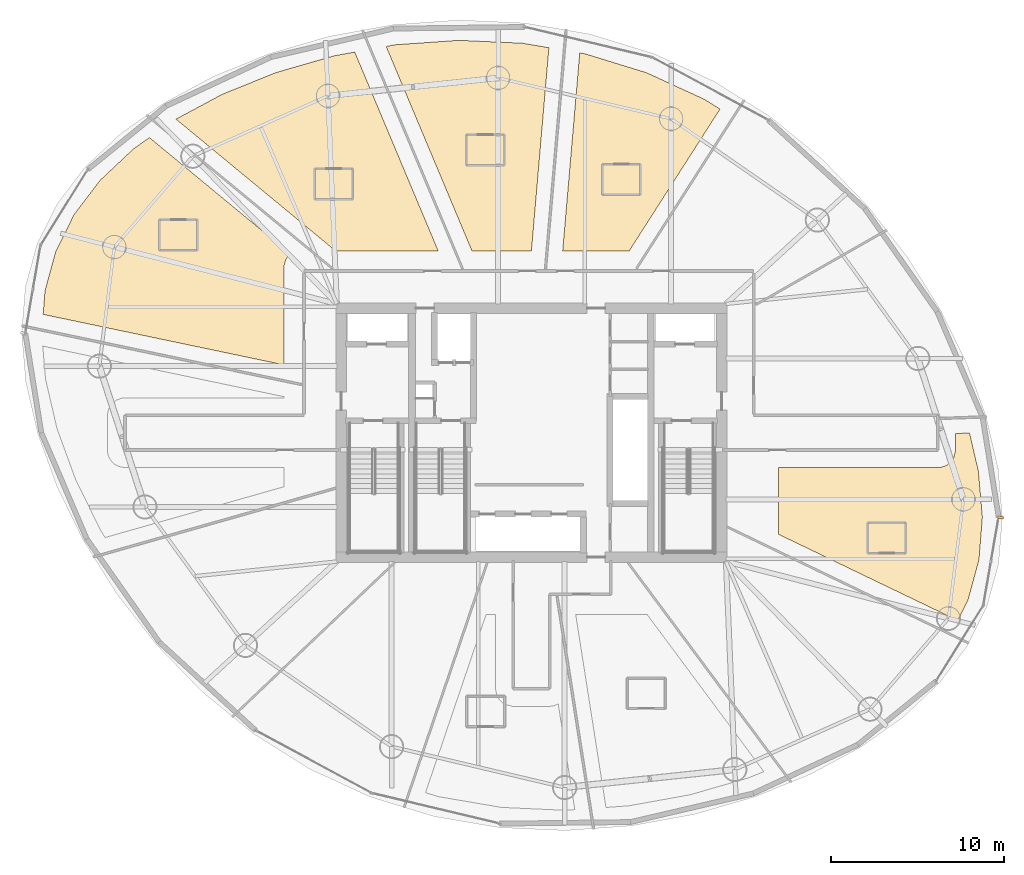
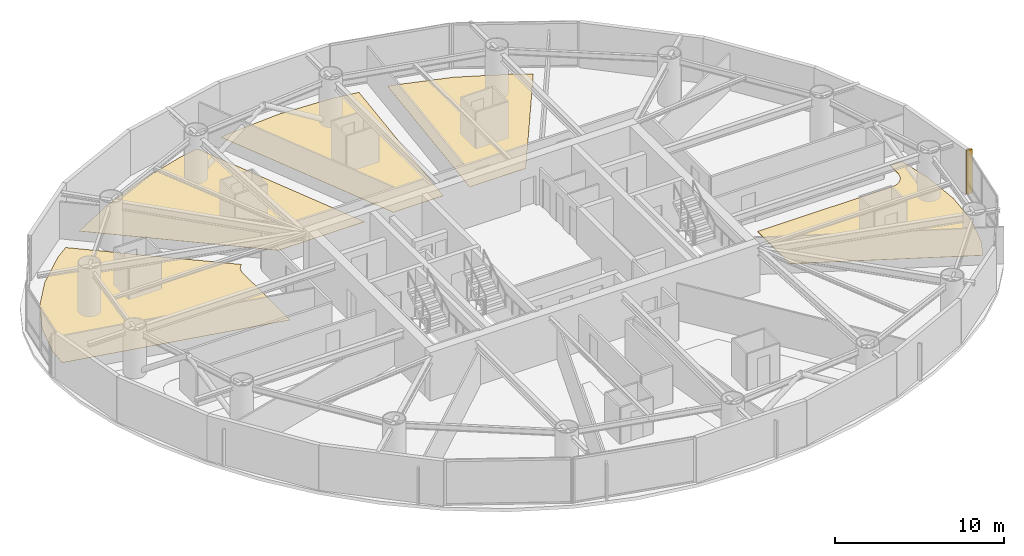
# One storey, part 22 of 22: 5 coverings, 1 shading device.
"""IFC4 building model written with IfcOpenShell, lengths in metres."""

import ifcopenshell
import ifcopenshell.guid

model = None  # the IFC model being written
_history = None  # IfcOwnerHistory: only IFC2X3 demands one
_inside = {}  # id of a spatial element -> (the spatial element, [elements in it])
_under = {}  # id of a project, library or spatial element -> (it, [spatial elements below it])
_declared = {}  # id of a project -> (the project, [libraries it declares])
_typed = {}  # id of a type object -> (the type object, [elements of that type])
_made_of = {}  # id of a material, layer set ... -> (it, [elements and type objects made of it])


def new_model(schema):
    """Start an empty IFC model of exactly this schema.

    Asked for "IFC4X3", IfcOpenShell would pick the latest addendum, in which some entities
    have other attributes; the version numbers below select the first issue.
    IFC2X3 requires an IfcOwnerHistory on every rooted entity: one is made here for all.
    """
    global model, _history
    if schema == "IFC4X3":
        model = ifcopenshell.file(schema_version=(4, 3, 0, 0))
    else:
        model = ifcopenshell.file(schema=schema)
    _inside.clear()
    _under.clear()
    _declared.clear()
    _typed.clear()
    _made_of.clear()
    _history = None
    if model.schema == "IFC2X3":
        org = make("IfcOrganization", Name="unknown")
        user = make(
            "IfcPersonAndOrganization",
            ThePerson=make("IfcPerson", FamilyName="unknown"),
            TheOrganization=org,
        )
        app = make(
            "IfcApplication",
            ApplicationDeveloper=org,
            Version="unknown",
            ApplicationFullName="unknown",
            ApplicationIdentifier="unknown",
        )
        _history = make(
            "IfcOwnerHistory",
            OwningUser=user,
            OwningApplication=app,
            ChangeAction="ADDED",
            CreationDate=0,
        )
    return model


def make(cls, **values):
    """One entity of the class cls with the attributes given. An attribute that is None is left unset."""
    return model.create_entity(
        cls, **{name: value for name, value in values.items() if value is not None}
    )


def rooted(cls, **values):
    """An entity with a GlobalId (a new one), such as an element, a storey or a relation."""
    return make(cls, GlobalId=ifcopenshell.guid.new(), OwnerHistory=_history, **values)


def si_unit(unit_type, name, prefix=None):
    """IfcSIUnit, for example si_unit("LENGTHUNIT", "METRE", prefix="MILLI")."""
    return make("IfcSIUnit", UnitType=unit_type, Prefix=prefix, Name=name)


def assignment(units):
    """IfcUnitAssignment: the units of a project."""
    return None if units is None else make("IfcUnitAssignment", Units=units)


def point(xyz):
    """IfcCartesianPoint."""
    return None if xyz is None else make("IfcCartesianPoint", Coordinates=xyz)


def direction(xyz):
    """IfcDirection."""
    return None if xyz is None else make("IfcDirection", DirectionRatios=xyz)


def frame(location, z_axis=None, x_axis=None):
    """IfcAxis2Placement3D, a coordinate frame: its origin and axes. An axis left out is left unset."""
    return make(
        "IfcAxis2Placement3D",
        Location=point(location),
        Axis=direction(z_axis),
        RefDirection=direction(x_axis),
    )


def frame_2d(location, x_axis=None):
    """IfcAxis2Placement2D, a coordinate frame in the plane: its origin and x axis."""
    return make(
        "IfcAxis2Placement2D", Location=point(location), RefDirection=direction(x_axis)
    )


def origin():
    """The frame at (0, 0, 0) with its axes left unset."""
    return frame((0.0, 0.0, 0.0))


def origin_2d():
    """The frame at (0, 0) in the plane with its x axis left unset."""
    return frame_2d((0.0, 0.0))


def place(relative_to, where):
    """IfcLocalPlacement: puts the frame where relative to a parent placement (None: the world)."""
    return make(
        "IfcLocalPlacement", PlacementRelTo=relative_to, RelativePlacement=where
    )


def context(
    kind, dimensions, precision=None, world=None, true_north=None, identifier=None
):
    """IfcGeometricRepresentationContext, for example the 3D "Model" context."""
    return make(
        "IfcGeometricRepresentationContext",
        ContextIdentifier=identifier,
        ContextType=kind,
        CoordinateSpaceDimension=dimensions,
        Precision=precision,
        WorldCoordinateSystem=world,
        TrueNorth=true_north,
    )


def subcontext(parent, identifier, kind, view, scale=None):
    """IfcGeometricRepresentationSubContext, for example "Body" below "Model"."""
    return make(
        "IfcGeometricRepresentationSubContext",
        ContextIdentifier=identifier,
        ContextType=kind,
        ParentContext=parent,
        TargetScale=scale,
        TargetView=view,
    )


def project(units=None, contexts=None):
    """IfcProject with its units and contexts."""
    return rooted(
        "IfcProject",
        Name="project",
        RepresentationContexts=contexts,
        UnitsInContext=assignment(units),
    )


def spatial(cls, under=None, at=None, **own):
    """A site, building, storey or space (cls), placed at a placement, below another one or the project."""
    s = rooted(cls, ObjectPlacement=at, **own)
    if under is not None:
        _under.setdefault(under.id(), (under, []))[1].append(s)
    return s


def polyline(points):
    """IfcPolyline through the points."""
    return make("IfcPolyline", Points=[point(p) for p in points])


def profile(cls, at=None, kind="AREA", **sizes):
    """A parametric profile (cls). Its sizes go by their IFC names, for example OverallWidth=200.0."""
    return make(cls, ProfileType=kind, Position=at, **sizes)


def rectangle(**sizes):
    """IfcRectangleProfileDef."""
    return profile("IfcRectangleProfileDef", **sizes)


def outline(outer, holes=None, kind="AREA"):
    """IfcArbitraryClosedProfileDef: a profile drawn as a closed curve; with holes, ...WithVoids."""
    if holes is None:
        return make("IfcArbitraryClosedProfileDef", ProfileType=kind, OuterCurve=outer)
    return make(
        "IfcArbitraryProfileDefWithVoids",
        ProfileType=kind,
        OuterCurve=outer,
        InnerCurves=holes,
    )


def extrude(swept, where, along, depth):
    """IfcExtrudedAreaSolid: the profile swept, set in the frame where, extruded along a direction by depth."""
    return make(
        "IfcExtrudedAreaSolid",
        SweptArea=swept,
        Position=where,
        ExtrudedDirection=direction(along),
        Depth=depth,
    )


def shape(context_of_items, identifier, shape_type, items):
    """IfcShapeRepresentation: the items that make up one representation, for example the "Body"."""
    return make(
        "IfcShapeRepresentation",
        ContextOfItems=context_of_items,
        RepresentationIdentifier=identifier,
        RepresentationType=shape_type,
        Items=items,
    )


def material(Name=None, Category=None):
    """IfcMaterial."""
    return make("IfcMaterial", Name=Name, Category=Category)


def layer(
    of_material, thickness, ventilated=None, Name=None, Category=None, Priority=None
):
    """IfcMaterialLayer: one layer of a wall or slab, of a material (None: an air gap)."""
    return make(
        "IfcMaterialLayer",
        Material=of_material,
        LayerThickness=thickness,
        IsVentilated=ventilated,
        Name=Name,
        Category=Category,
        Priority=Priority,
    )


def layer_set(layers, Name=None):
    """IfcMaterialLayerSet."""
    return make("IfcMaterialLayerSet", MaterialLayers=layers, LayerSetName=Name)


def made_of(thing, what):
    """Note that an element or type object is made of a material, layer set ...; save() writes the relation."""
    if what is not None:
        _made_of.setdefault(what.id(), (what, []))[1].append(thing)
    return thing


def type_object(cls, material=None, **own):
    """A type object (cls), such as IfcWallType, which elements share."""
    return made_of(rooted(cls, **own), material)


def element(
    cls,
    number,
    at=None,
    inside=None,
    cuts=None,
    type_object=None,
    material=None,
    context=None,
    identifier="Body",
    shape_type=None,
    held_by="IfcProductDefinitionShape",
    body=None,
    shapes=None,
    **own,
):
    """One element of the class cls, such as IfcWall. Its Tag is "e" and its number.

    at: its placement. inside: the storey or other place that contains it. cuts: it is an
    opening in that element (IfcRelVoidsElement). A single representation is given by context,
    identifier, shape_type and body (its items); several are given by shapes. held_by: the class
    of the entity that holds the representations. save() writes the other relations.
    """
    e = rooted(cls, Tag="e%d" % number, ObjectPlacement=at, **own)
    if body is not None:
        shapes = [shape(context, identifier, shape_type, body)]
    if shapes is not None:
        e.Representation = make(held_by, Representations=shapes)
    if inside is not None:
        _inside.setdefault(inside.id(), (inside, []))[1].append(e)
    if cuts is not None:
        rooted(
            "IfcRelVoidsElement", RelatingBuildingElement=cuts, RelatedOpeningElement=e
        )
    if type_object is not None:
        _typed.setdefault(type_object.id(), (type_object, []))[1].append(e)
    return made_of(e, material)


def aggregate(whole, parts):
    """IfcRelAggregates: a whole, such as a stair, and the parts it consists of."""
    return rooted("IfcRelAggregates", RelatingObject=whole, RelatedObjects=parts)


def save(model, path):
    """Write the relations noted so far, then the file.

    IfcRelAggregates (storeys below a building ...), IfcRelContainedInSpatialStructure (elements
    in a storey), IfcRelDefinesByType, IfcRelAssociatesMaterial and IfcRelDeclares: one each for
    every whole, place, type object, material and project.
    """
    for whole, parts in _under.values():
        aggregate(whole, parts)
    for where, things in _inside.values():
        rooted(
            "IfcRelContainedInSpatialStructure",
            RelatedElements=things,
            RelatingStructure=where,
        )
    for kind, things in _typed.values():
        rooted("IfcRelDefinesByType", RelatedObjects=things, RelatingType=kind)
    for what, things in _made_of.values():
        rooted("IfcRelAssociatesMaterial", RelatedObjects=things, RelatingMaterial=what)
    for by, libraries in _declared.values():
        rooted("IfcRelDeclares", RelatingContext=by, RelatedDefinitions=libraries)
    model.write(path)


model = new_model("IFC4")

# Units and contexts
model_context = context("Model", 3, precision=1e-05, world=origin(), true_north=direction((0.0, 1.0)))
body_context = subcontext(model_context, "Body", "Model", "MODEL_VIEW")
ifc_project = project(units=[si_unit("LENGTHUNIT", "METRE"), si_unit("AREAUNIT", "SQUARE_METRE"), si_unit("VOLUMEUNIT", "CUBIC_METRE"), si_unit("PLANEANGLEUNIT", "RADIAN"), si_unit("MASSUNIT", "GRAM", prefix="KILO")], contexts=[model_context])

# Site, building, storey
site_placement = place(None, origin())
site = spatial("IfcSite", under=ifc_project, at=site_placement, CompositionType="ELEMENT")
building_placement = place(site_placement, origin())
building = spatial("IfcBuilding", under=site, at=building_placement, Name="Bramvorn Convention Spire", CompositionType="ELEMENT")
storey_placement = place(building_placement, frame((0.0, 0.0, 116.800048828125)))
storey = spatial("IfcBuildingStorey", under=building, at=storey_placement, Name="L28", CompositionType="ELEMENT", Elevation=116.800048828125)

# Coverings
ifc_material_1 = material(Name="Solution-Dyed Wool Broadloom Hospitality Carpet", Category="textile")
ifc_layer = layer(ifc_material_1, 0.014892578125)
ifc_layer_set = layer_set([ifc_layer], Name="Solution-Dyed Wool Broadloom Hospitality Carpet - FLR-CARPET-15")
covering_type = type_object("IfcCoveringType", Name="FLR-CARPET-15", PredefinedType="FLOORING", material=ifc_layer_set)
covering_1_placement = place(storey_placement, origin())
element("IfcCovering", 1, at=covering_1_placement, inside=storey, type_object=covering_type, Name="Hotel Suite 2803 wool broadloom carpet", PredefinedType="FLOORING", context=body_context, shape_type="SweptSolid", body=[
    extrude(outline(polyline([(41.13330078125, 47.90087890625), (40.794921875, 47.958740234375), (39.807861328125, 36.5), (43.650390625, 36.5), (48.906982421875, 44.714599609375), (48.02001953125, 45.271240234375), (44.663330078125, 46.813720703125), (41.13330078125, 47.90087890625)])), origin(), (0.0, 0.0, 1.0), 0.014892578125),
])
covering_2_placement = place(storey_placement, origin())
element("IfcCovering", 2, at=covering_2_placement, inside=storey, type_object=covering_type, Name="Hotel Suite 2804 wool broadloom carpet", PredefinedType="FLOORING", context=body_context, shape_type="SweptSolid", body=[
    extrude(outline(polyline([(30.139404296875, 48.4345703125), (29.600341796875, 48.337646484375), (34.56884765625, 36.5), (38.001220703125, 36.5), (39.014404296875, 48.262939453125), (37.489013671875, 48.5234375), (33.799072265625, 48.69140625), (30.139404296875, 48.4345703125)])), origin(), (0.0, 0.0, 1.0), 0.014892578125),
])
covering_3_placement = place(storey_placement, origin())
element("IfcCovering", 3, at=covering_3_placement, inside=storey, type_object=covering_type, Name="Hotel Suite 2805 wool broadloom carpet", PredefinedType="FLOORING", context=body_context, shape_type="SweptSolid", body=[
    extrude(outline(polyline([(26.693603515625, 36.5), (32.61669921875, 36.5), (27.785400390625, 48.0107421875), (26.58984375, 47.795654296875), (23.231201171875, 46.82568359375), (20.138427734375, 45.576904296875), (17.446044921875, 44.133544921875), (26.693603515625, 36.5)])), origin(), (0.0, 0.0, 1.0), 0.014892578125),
])
covering_4_placement = place(storey_placement, origin())
element("IfcCovering", 4, at=covering_4_placement, inside=storey, type_object=covering_type, Name="Hotel Suite 2806 wool broadloom carpet", PredefinedType="FLOORING", context=body_context, shape_type="SweptSolid", body=[
    extrude(outline(polyline([(9.87548828125, 34.211669921875), (9.7666015625, 32.841552734375), (23.699951171875, 29.9189453125), (23.704345703125, 35.688232421875), (23.806396484375, 36.0244140625), (23.904296875, 36.1708984375), (24.073486328125, 36.32861328125), (15.91259765625, 43.0654296875), (15.00830078125, 42.42919921875), (13.06298828125, 40.599609375), (11.560791015625, 38.624267578125), (10.5009765625, 36.500732421875), (9.87548828125, 34.211669921875)])), origin(), (0.0, 0.0, 1.0), 0.014892578125),
])
covering_5_placement = place(storey_placement, origin())
element("IfcCovering", 5, at=covering_5_placement, inside=storey, type_object=covering_type, Name="Hotel Suite 2813 wool broadloom carpet", PredefinedType="FLOORING", context=body_context, shape_type="SweptSolid", body=[
    extrude(outline(polyline([(62.52001953125, 25.955810546875), (62.518310546875, 24.944091796875), (62.424560546875, 24.5693359375), (62.315673828125, 24.3876953125), (62.1123046875, 24.184326171875), (61.9306640625, 24.075439453125), (61.655517578125, 23.991943359375), (52.300048828125, 23.97998046875), (52.300048828125, 20.118896484375), (62.650146484375, 15.139404296875), (63.2568359375, 16.355224609375), (63.88232421875, 18.64453125), (64.0791015625, 21.118408203125), (63.84814453125, 23.779052734375), (63.336669921875, 25.984130859375), (62.52001953125, 25.955810546875)])), origin(), (0.0, 0.0, 1.0), 0.014892578125),
])

# Shading device
ifc_material_2 = material(Name="Extruded Champagne Bronze Aluminium Lancet Fin", Category="aluminium")
shading_device_type = type_object("IfcShadingDeviceType", Name="SHD-FIN-LANCET", PredefinedType="SHUTTER", material=ifc_material_2)
shading_device_placement = place(storey_placement, frame((65.139892578125, 21.095703125, 0.0498046875), z_axis=(0.0, 0.0, 1.0), x_axis=(0.984061857628, -0.177826489482, 0.0)))
element("IfcShadingDevice", 6, at=shading_device_placement, inside=storey, type_object=shading_device_type, Name="L28 Gothic bronze wind-corner fin 01", PredefinedType="SHUTTER", context=body_context, shape_type="SweptSolid", body=[
    extrude(rectangle(XDim=0.360107421875, YDim=0.139892578125, at=origin_2d()), origin(), (0.0, 0.0, 1.0), 3.159912109375),
])

save(model, "model.ifc")
